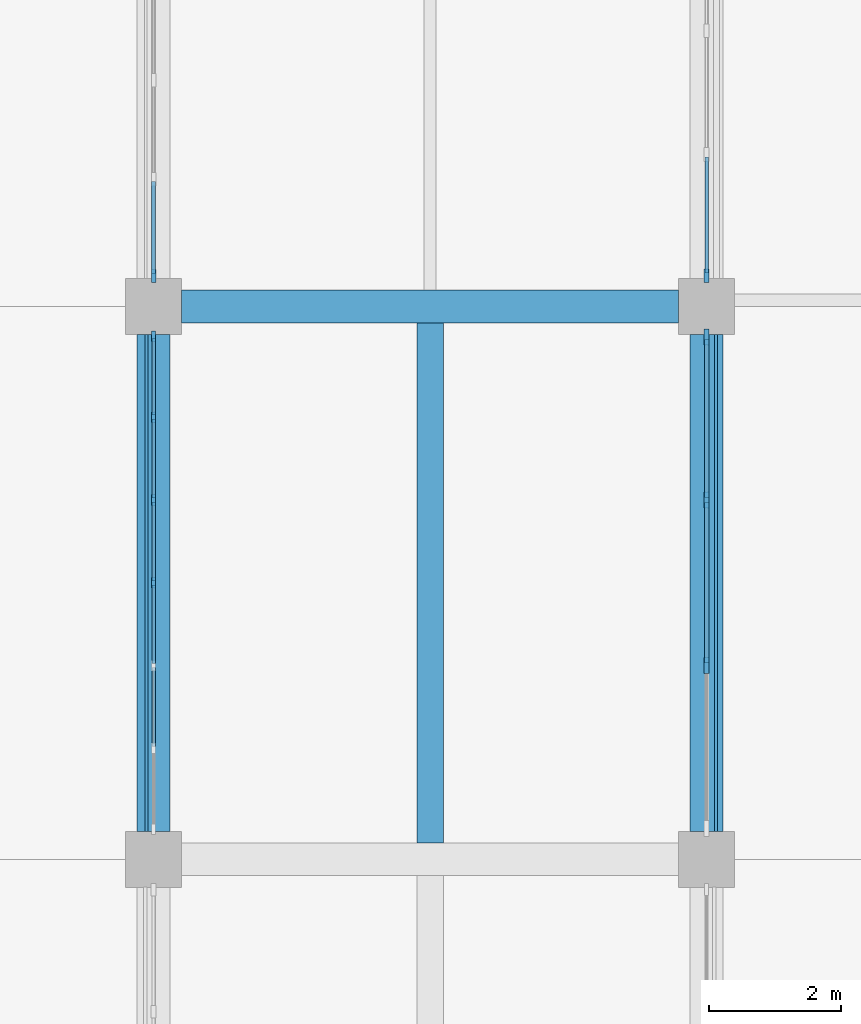
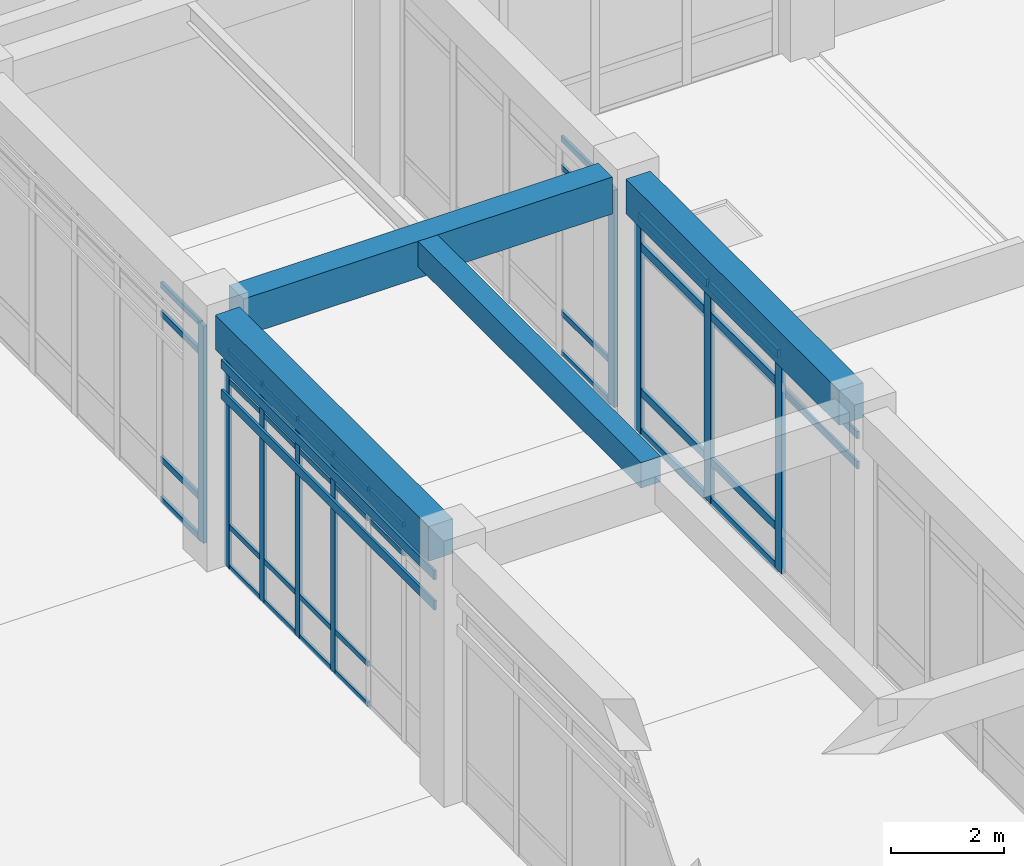
# One storey, part 18 of 91: 47 members, 4 beams, 4 elements without a shape of their own.
"""IFC4 building model written with IfcOpenShell, lengths in metres."""

from ifc_helpers import new_model, si_unit, direction, frame, origin, origin_2d, place, context, subcontext, project, spatial, rectangle, extrude, material, layer, layer_set, material_profile, profile_set, type_object, element, aggregate, save


model = new_model("IFC4")

# Units and contexts
model_context = context("Model", 3, precision=1e-05, world=origin(), true_north=direction((0.0, 1.0)))
body_context = subcontext(model_context, "Body", "Model", "MODEL_VIEW")
ifc_project = project(units=[si_unit("LENGTHUNIT", "METRE"), si_unit("AREAUNIT", "SQUARE_METRE"), si_unit("VOLUMEUNIT", "CUBIC_METRE"), si_unit("PLANEANGLEUNIT", "RADIAN"), si_unit("MASSUNIT", "GRAM", prefix="KILO")], contexts=[model_context])

# Site, building, storey
site_placement = place(None, origin())
site = spatial("IfcSite", under=ifc_project, at=site_placement, CompositionType="ELEMENT")
building_placement = place(site_placement, origin())
building = spatial("IfcBuilding", under=site, at=building_placement, Name="Porcellanite Civic Hall", CompositionType="ELEMENT")
storey_placement = place(building_placement, origin())
storey = spatial("IfcBuildingStorey", under=building, at=storey_placement, Name="L00", CompositionType="ELEMENT", Elevation=0.0)

# Beams
ifc_material_1 = material(Name="Concrete N50 (50 MPa)", Category="concrete")
ifc_material_profile_1 = material_profile(ifc_material_1, rectangle(XDim=0.39990234375, YDim=0.550048828125, at=origin_2d()), Name="RC-400x550")
ifc_profile_set_1 = profile_set([ifc_material_profile_1], Name="Concrete N50 (50 MPa)")
beam_type_1 = type_object("IfcBeamType", Name="BM-RC550", PredefinedType="JOIST", material=ifc_profile_set_1)
beam_1_placement = place(storey_placement, frame((54.60009765625, 84.24951171875, 5.22509765625), z_axis=(0.0, 1.0, 0.0), x_axis=(-1.0, 0.0, 0.0)))
element("IfcBeam", 1, at=beam_1_placement, inside=storey, type_object=beam_type_1, Name="Secondary joist L00 7-11", PredefinedType="JOIST", context=body_context, shape_type="SweptSolid", body=[
    extrude(rectangle(XDim=0.39990234375, YDim=0.550048828125, at=origin_2d()), origin(), (0.0, 0.0, 1.0), 7.90087890625),
])
ifc_material_2 = material(Name="Concrete N50 (50 MPa)", Category="concrete")
ifc_material_profile_2 = material_profile(ifc_material_2, rectangle(XDim=0.5, YDim=0.75, at=origin_2d()), Name="RC-500x750")
ifc_profile_set_2 = profile_set([ifc_material_profile_2], Name="Concrete N50 (50 MPa)")
beam_type_2 = type_object("IfcBeamType", Name="BM-RC750", PredefinedType="SPANDREL", material=ifc_profile_set_2)
for number, where, z_axis, x_axis, name in (
    (2, (50.39990234375, 84.424560546875, 5.125), (0.0, 1.0, 0.0), (-1.0, 0.0, 0.0), "Beam Y L00 7-11"),
    (3, (58.800048828125, 84.424560546875, 5.125), (0.0, 1.0, 0.0), (-1.0, 0.0, 0.0), "Beam Y L00 8-11"),
):
    element("IfcBeam", number, at=place(storey_placement, frame(where, z_axis=z_axis, x_axis=x_axis)), inside=storey, type_object=beam_type_2, Name=name, PredefinedType="SPANDREL", context=body_context, shape_type="SweptSolid", body=[
        extrude(rectangle(XDim=0.5, YDim=0.75, at=origin_2d()), origin(), (0.0, 0.0, 1.0), 7.551025390625),
    ])
ifc_material_3 = material(Name="Concrete N50 (50 MPa)", Category="concrete")
ifc_material_profile_3 = material_profile(ifc_material_3, rectangle(XDim=0.5, YDim=0.800048828125, at=origin_2d()), Name="RC-500x800")
ifc_profile_set_3 = profile_set([ifc_material_profile_3], Name="Concrete N50 (50 MPa)")
beam_type_3 = type_object("IfcBeamType", Name="BM-RC800", PredefinedType="BEAM", material=ifc_profile_set_3)
beam_2_placement = place(storey_placement, frame((50.824462890625, 92.39990234375, 5.10009765625), z_axis=(1.0, 0.0, 0.0), x_axis=(0.0, 1.0, 0.0)))
element("IfcBeam", 4, at=beam_2_placement, inside=storey, type_object=beam_type_3, Name="Beam X L00 7-12", PredefinedType="BEAM", context=body_context, shape_type="SweptSolid", body=[
    extrude(rectangle(XDim=0.5, YDim=0.800048828125, at=origin_2d()), origin(), (0.0, 0.0, 1.0), 7.551025390625),
])

# Curtain wall, members
ifc_material_4 = material(Name="Anodised aluminium and solar laminated glass", Category="aluminium")
ifc_layer_1 = layer(ifc_material_4, 0.179931640625)
ifc_layer_set_1 = layer_set([ifc_layer_1], Name="Anodised aluminium and solar laminated glass")
curtain_wall_type_1 = type_object("IfcCurtainWallType", Name="CW-SYS08", PredefinedType="NOTDEFINED", material=ifc_layer_set_1)
curtain_wall_1_placement = place(storey_placement, origin())
curtain_wall_1 = element("IfcCurtainWall", 5, at=curtain_wall_1_placement, inside=storey, type_object=curtain_wall_type_1, Name="Curtain wall CW-022", PredefinedType="NOTDEFINED")
ifc_material_5 = material(Name="Anodised aluminium 6063-T6", Category="aluminium")
ifc_material_profile_4 = material_profile(ifc_material_5, rectangle(XDim=0.080078125, YDim=0.239990234375, at=origin_2d()), Name="AL-80x240")
ifc_profile_set_4 = profile_set([ifc_material_profile_4], Name="Anodised aluminium 6063-T6")
member_type_1 = type_object("IfcMemberType", Name="CWM-01", PredefinedType="MULLION", material=ifc_profile_set_4)
member_1_placement = place(storey_placement, frame((58.800048828125, 91.93408203125, 0.0), z_axis=(0.0, 0.0, 1.0), x_axis=(1.0, 0.0, 0.0)))
member_1 = element("IfcMember", 6, at=member_1_placement, type_object=member_type_1, Name="CW-022 mullion 1", PredefinedType="MULLION", context=body_context, shape_type="SweptSolid", body=[
    extrude(rectangle(XDim=0.080078125, YDim=0.239990234375, at=origin_2d()), origin(), (0.0, 0.0, 1.0), 4.699951171875),
])
member_2_placement = place(storey_placement, frame((58.800048828125, 89.4580078125, 0.0), z_axis=(0.0, 0.0, 1.0), x_axis=(1.0, 0.0, 0.0)))
member_2 = element("IfcMember", 7, at=member_2_placement, type_object=member_type_1, Name="CW-022 mullion 2", PredefinedType="MULLION", context=body_context, shape_type="SweptSolid", body=[
    extrude(rectangle(XDim=0.080078125, YDim=0.239990234375, at=origin_2d()), origin(), (0.0, 0.0, 1.0), 4.699951171875),
])
member_3_placement = place(storey_placement, frame((58.800048828125, 86.94189453125, 0.0), z_axis=(0.0, 0.0, 1.0), x_axis=(1.0, 0.0, 0.0)))
member_3 = element("IfcMember", 8, at=member_3_placement, type_object=member_type_1, Name="CW-022 mullion 3", PredefinedType="MULLION", context=body_context, shape_type="SweptSolid", body=[
    extrude(rectangle(XDim=0.080078125, YDim=0.239990234375, at=origin_2d()), origin(), (0.0, 0.0, 1.0), 4.699951171875),
])

# Curtain wall, member
ifc_material_6 = material(Name="Anodised aluminium and solar laminated glass", Category="aluminium")
ifc_layer_2 = layer(ifc_material_6, 0.179931640625)
ifc_layer_set_2 = layer_set([ifc_layer_2], Name="Anodised aluminium and solar laminated glass")
curtain_wall_type_2 = type_object("IfcCurtainWallType", Name="CW-SYS03", PredefinedType="NOTDEFINED", material=ifc_layer_set_2)
curtain_wall_2_placement = place(storey_placement, origin())
curtain_wall_2 = element("IfcCurtainWall", 9, at=curtain_wall_2_placement, inside=storey, type_object=curtain_wall_type_2, Name="Curtain wall CW-024", PredefinedType="NOTDEFINED")
ifc_material_7 = material(Name="Anodised aluminium 6063-T6", Category="aluminium")
ifc_material_profile_5 = material_profile(ifc_material_7, rectangle(XDim=0.080078125, YDim=0.2099609375, at=origin_2d()), Name="AL-80x210")
ifc_profile_set_5 = profile_set([ifc_material_profile_5], Name="Anodised aluminium 6063-T6")
member_type_2 = type_object("IfcMemberType", Name="CWM-02", PredefinedType="MULLION", material=ifc_profile_set_5)
member_4_placement = place(storey_placement, frame((58.800048828125, 92.865966796875, 0.0), z_axis=(0.0, 0.0, 1.0), x_axis=(1.0, 0.0, 0.0)))
member_4 = element("IfcMember", 10, at=member_4_placement, type_object=member_type_2, Name="CW-024 mullion 5", PredefinedType="MULLION", context=body_context, shape_type="SweptSolid", body=[
    extrude(rectangle(XDim=0.080078125, YDim=0.2099609375, at=origin_2d()), origin(), (0.0, 0.0, 1.0), 4.699951171875),
])

ifc_material_8 = material(Name="Anodised aluminium and solar laminated glass", Category="aluminium")
ifc_layer_3 = layer(ifc_material_8, 0.179931640625)
ifc_layer_set_3 = layer_set([ifc_layer_3], Name="Anodised aluminium and solar laminated glass")
curtain_wall_type_3 = type_object("IfcCurtainWallType", Name="CW-SYS01", PredefinedType="NOTDEFINED", material=ifc_layer_set_3)
curtain_wall_3_placement = place(storey_placement, origin())
curtain_wall_3 = element("IfcCurtainWall", 11, at=curtain_wall_3_placement, inside=storey, type_object=curtain_wall_type_3, Name="Curtain wall CW-023", PredefinedType="NOTDEFINED")
ifc_material_9 = material(Name="Anodised aluminium 6063-T6", Category="aluminium")
ifc_material_profile_6 = material_profile(ifc_material_9, rectangle(XDim=0.070068359375, YDim=0.199951171875, at=origin_2d()), Name="AL-70x200")
ifc_profile_set_6 = profile_set([ifc_material_profile_6], Name="Anodised aluminium 6063-T6")
member_type_3 = type_object("IfcMemberType", Name="CWM-05", PredefinedType="MULLION", material=ifc_profile_set_6)
member_5_placement = place(storey_placement, frame((50.39990234375, 92.861083984375, 0.0), z_axis=(0.0, 0.0, 1.0), x_axis=(-1.0, 0.0, 0.0)))
member_5 = element("IfcMember", 12, at=member_5_placement, type_object=member_type_3, Name="CW-023 mullion 1", PredefinedType="MULLION", context=body_context, shape_type="SweptSolid", body=[
    extrude(rectangle(XDim=0.070068359375, YDim=0.199951171875, at=origin_2d()), origin(), (0.0, 0.0, 1.0), 4.699951171875),
])

# Curtain wall, members
ifc_material_10 = material(Name="Anodised aluminium and solar laminated glass", Category="aluminium")
ifc_layer_4 = layer(ifc_material_10, 0.179931640625)
ifc_layer_set_4 = layer_set([ifc_layer_4], Name="Anodised aluminium and solar laminated glass")
curtain_wall_type_4 = type_object("IfcCurtainWallType", Name="CW-SYS07", PredefinedType="NOTDEFINED", material=ifc_layer_set_4)
curtain_wall_4_placement = place(storey_placement, origin())
curtain_wall_4 = element("IfcCurtainWall", 13, at=curtain_wall_4_placement, inside=storey, type_object=curtain_wall_type_4, Name="Curtain wall CW-021", PredefinedType="NOTDEFINED")
ifc_material_11 = material(Name="Anodised aluminium 6063-T6", Category="aluminium")
ifc_material_profile_7 = material_profile(ifc_material_11, rectangle(XDim=0.06005859375, YDim=0.159912109375, at=origin_2d()), Name="AL-60x160")
ifc_profile_set_7 = profile_set([ifc_material_profile_7], Name="Anodised aluminium 6063-T6")
member_type_4 = type_object("IfcMemberType", Name="CWM-07", PredefinedType="MULLION", material=ifc_profile_set_7)
member_6_placement = place(storey_placement, frame((50.39990234375, 88.199951171875, 0.0), z_axis=(0.0, 0.0, 1.0), x_axis=(-1.0, 0.0, 0.0)))
member_6 = element("IfcMember", 14, at=member_6_placement, type_object=member_type_4, Name="CW-021 mullion 4", PredefinedType="MULLION", context=body_context, shape_type="SweptSolid", body=[
    extrude(rectangle(XDim=0.06005859375, YDim=0.159912109375, at=origin_2d()), origin(), (0.0, 0.0, 1.0), 4.699951171875),
])
member_7_placement = place(storey_placement, frame((50.39990234375, 89.4580078125, 0.0), z_axis=(0.0, 0.0, 1.0), x_axis=(-1.0, 0.0, 0.0)))
member_7 = element("IfcMember", 15, at=member_7_placement, type_object=member_type_4, Name="CW-021 mullion 5", PredefinedType="MULLION", context=body_context, shape_type="SweptSolid", body=[
    extrude(rectangle(XDim=0.06005859375, YDim=0.159912109375, at=origin_2d()), origin(), (0.0, 0.0, 1.0), 4.699951171875),
])
member_8_placement = place(storey_placement, frame((50.39990234375, 90.716064453125, 0.0), z_axis=(0.0, 0.0, 1.0), x_axis=(-1.0, 0.0, 0.0)))
member_8 = element("IfcMember", 16, at=member_8_placement, type_object=member_type_4, Name="CW-021 mullion 6", PredefinedType="MULLION", context=body_context, shape_type="SweptSolid", body=[
    extrude(rectangle(XDim=0.06005859375, YDim=0.159912109375, at=origin_2d()), origin(), (0.0, 0.0, 1.0), 4.699951171875),
])
member_9_placement = place(storey_placement, frame((50.39990234375, 91.944091796875, 0.0), z_axis=(0.0, 0.0, 1.0), x_axis=(-1.0, 0.0, 0.0)))
member_9 = element("IfcMember", 17, at=member_9_placement, type_object=member_type_4, Name="CW-021 mullion 7", PredefinedType="MULLION", context=body_context, shape_type="SweptSolid", body=[
    extrude(rectangle(XDim=0.06005859375, YDim=0.159912109375, at=origin_2d()), origin(), (0.0, 0.0, 1.0), 4.699951171875),
])

# Member
ifc_material_12 = material(Name="Anodised aluminium 6063-T6", Category="aluminium")
ifc_material_profile_8 = material_profile(ifc_material_12, rectangle(XDim=0.070068359375, YDim=0.175048828125, at=origin_2d()), Name="AL-70x175")
ifc_profile_set_8 = profile_set([ifc_material_profile_8], Name="Anodised aluminium 6063-T6")
member_type_5 = type_object("IfcMemberType", Name="CWT-01", PredefinedType="USERDEFINED", material=ifc_profile_set_8)
member_10_placement = place(storey_placement, frame((58.800048828125, 91.89404296875, 0.034912109375), z_axis=(0.0, -1.0, 0.0), x_axis=(1.0, 0.0, 0.0)))
member_10 = element("IfcMember", 18, at=member_10_placement, type_object=member_type_5, Name="CW-022 transom 1.1", ObjectType="TRANSOM", PredefinedType="USERDEFINED", context=body_context, shape_type="SweptSolid", body=[
    extrude(rectangle(XDim=0.070068359375, YDim=0.175048828125, at=origin_2d()), origin(), (0.0, 0.0, 1.0), 2.39599609375),
])

member_11_placement = place(storey_placement, frame((58.800048828125, 91.89404296875, 0.89990234375), z_axis=(0.0, -1.0, 0.0), x_axis=(1.0, 0.0, 0.0)))
member_11 = element("IfcMember", 19, at=member_11_placement, type_object=member_type_5, Name="CW-022 transom 1.2", ObjectType="TRANSOM", PredefinedType="USERDEFINED", context=body_context, shape_type="SweptSolid", body=[
    extrude(rectangle(XDim=0.070068359375, YDim=0.175048828125, at=origin_2d()), origin(), (0.0, 0.0, 1.0), 2.39599609375),
])

member_12_placement = place(storey_placement, frame((58.800048828125, 91.89404296875, 4.050048828125), z_axis=(0.0, -1.0, 0.0), x_axis=(1.0, 0.0, 0.0)))
member_12 = element("IfcMember", 20, at=member_12_placement, type_object=member_type_5, Name="CW-022 transom 1.3", ObjectType="TRANSOM", PredefinedType="USERDEFINED", context=body_context, shape_type="SweptSolid", body=[
    extrude(rectangle(XDim=0.070068359375, YDim=0.175048828125, at=origin_2d()), origin(), (0.0, 0.0, 1.0), 2.39599609375),
])

member_13_placement = place(storey_placement, frame((58.800048828125, 91.89404296875, 4.6650390625), z_axis=(0.0, -1.0, 0.0), x_axis=(1.0, 0.0, 0.0)))
member_13 = element("IfcMember", 21, at=member_13_placement, type_object=member_type_5, Name="CW-022 transom 1.4", ObjectType="TRANSOM", PredefinedType="USERDEFINED", context=body_context, shape_type="SweptSolid", body=[
    extrude(rectangle(XDim=0.070068359375, YDim=0.175048828125, at=origin_2d()), origin(), (0.0, 0.0, 1.0), 2.39599609375),
])

member_14_placement = place(storey_placement, frame((58.800048828125, 89.41796875, 0.034912109375), z_axis=(0.0, -1.0, 0.0), x_axis=(1.0, 0.0, 0.0)))
member_14 = element("IfcMember", 22, at=member_14_placement, type_object=member_type_5, Name="CW-022 transom 2.1", ObjectType="TRANSOM", PredefinedType="USERDEFINED", context=body_context, shape_type="SweptSolid", body=[
    extrude(rectangle(XDim=0.070068359375, YDim=0.175048828125, at=origin_2d()), origin(), (0.0, 0.0, 1.0), 2.43603515625),
])

member_15_placement = place(storey_placement, frame((58.800048828125, 89.41796875, 0.89990234375), z_axis=(0.0, -1.0, 0.0), x_axis=(1.0, 0.0, 0.0)))
member_15 = element("IfcMember", 23, at=member_15_placement, type_object=member_type_5, Name="CW-022 transom 2.2", ObjectType="TRANSOM", PredefinedType="USERDEFINED", context=body_context, shape_type="SweptSolid", body=[
    extrude(rectangle(XDim=0.070068359375, YDim=0.175048828125, at=origin_2d()), origin(), (0.0, 0.0, 1.0), 2.43603515625),
])

member_16_placement = place(storey_placement, frame((58.800048828125, 89.41796875, 4.050048828125), z_axis=(0.0, -1.0, 0.0), x_axis=(1.0, 0.0, 0.0)))
member_16 = element("IfcMember", 24, at=member_16_placement, type_object=member_type_5, Name="CW-022 transom 2.3", ObjectType="TRANSOM", PredefinedType="USERDEFINED", context=body_context, shape_type="SweptSolid", body=[
    extrude(rectangle(XDim=0.070068359375, YDim=0.175048828125, at=origin_2d()), origin(), (0.0, 0.0, 1.0), 2.43603515625),
])

member_17_placement = place(storey_placement, frame((58.800048828125, 89.41796875, 4.6650390625), z_axis=(0.0, -1.0, 0.0), x_axis=(1.0, 0.0, 0.0)))
member_17 = element("IfcMember", 25, at=member_17_placement, type_object=member_type_5, Name="CW-022 transom 2.4", ObjectType="TRANSOM", PredefinedType="USERDEFINED", context=body_context, shape_type="SweptSolid", body=[
    extrude(rectangle(XDim=0.070068359375, YDim=0.175048828125, at=origin_2d()), origin(), (0.0, 0.0, 1.0), 2.43603515625),
])

aggregate(curtain_wall_1, [member_1, member_2, member_3, member_10, member_11, member_12, member_13, member_14, member_15, member_16, member_17])

ifc_material_13 = material(Name="Anodised aluminium 6063-T6", Category="aluminium")
ifc_material_profile_9 = material_profile(ifc_material_13, rectangle(XDim=0.06005859375, YDim=0.1298828125, at=origin_2d()), Name="AL-60x130")
ifc_profile_set_9 = profile_set([ifc_material_profile_9], Name="Anodised aluminium 6063-T6")
member_type_6 = type_object("IfcMemberType", Name="CWT-03", PredefinedType="USERDEFINED", material=ifc_profile_set_9)
member_18_placement = place(storey_placement, frame((50.39990234375, 92.89599609375, 0.030029296875), z_axis=(0.0, 1.0, 0.0), x_axis=(-1.0, 0.0, 0.0)))
member_18 = element("IfcMember", 26, at=member_18_placement, type_object=member_type_6, Name="CW-023 transom 1.1", ObjectType="TRANSOM", PredefinedType="USERDEFINED", context=body_context, shape_type="SweptSolid", body=[
    extrude(rectangle(XDim=0.06005859375, YDim=0.1298828125, at=origin_2d()), origin(), (0.0, 0.0, 1.0), 1.399658203125),
])

member_19_placement = place(storey_placement, frame((50.39990234375, 92.89599609375, 0.89990234375), z_axis=(0.0, 1.0, 0.0), x_axis=(-1.0, 0.0, 0.0)))
member_19 = element("IfcMember", 27, at=member_19_placement, type_object=member_type_6, Name="CW-023 transom 1.2", ObjectType="TRANSOM", PredefinedType="USERDEFINED", context=body_context, shape_type="SweptSolid", body=[
    extrude(rectangle(XDim=0.06005859375, YDim=0.1298828125, at=origin_2d()), origin(), (0.0, 0.0, 1.0), 1.399658203125),
])

member_20_placement = place(storey_placement, frame((50.39990234375, 92.89599609375, 4.050048828125), z_axis=(0.0, 1.0, 0.0), x_axis=(-1.0, 0.0, 0.0)))
member_20 = element("IfcMember", 28, at=member_20_placement, type_object=member_type_6, Name="CW-023 transom 1.3", ObjectType="TRANSOM", PredefinedType="USERDEFINED", context=body_context, shape_type="SweptSolid", body=[
    extrude(rectangle(XDim=0.06005859375, YDim=0.1298828125, at=origin_2d()), origin(), (0.0, 0.0, 1.0), 1.399658203125),
])

member_21_placement = place(storey_placement, frame((50.39990234375, 92.89599609375, 4.669921875), z_axis=(0.0, 1.0, 0.0), x_axis=(-1.0, 0.0, 0.0)))
member_21 = element("IfcMember", 29, at=member_21_placement, type_object=member_type_6, Name="CW-023 transom 1.4", ObjectType="TRANSOM", PredefinedType="USERDEFINED", context=body_context, shape_type="SweptSolid", body=[
    extrude(rectangle(XDim=0.06005859375, YDim=0.1298828125, at=origin_2d()), origin(), (0.0, 0.0, 1.0), 1.399658203125),
])

aggregate(curtain_wall_3, [member_5, member_18, member_19, member_20, member_21])

ifc_material_14 = material(Name="Anodised aluminium 6063-T6", Category="aluminium")
ifc_material_profile_10 = material_profile(ifc_material_14, rectangle(XDim=0.054931640625, YDim=0.1201171875, at=origin_2d()), Name="AL-55x120")
ifc_profile_set_10 = profile_set([ifc_material_profile_10], Name="Anodised aluminium 6063-T6")
member_type_7 = type_object("IfcMemberType", Name="CWT-04", PredefinedType="USERDEFINED", material=ifc_profile_set_10)
member_22_placement = place(storey_placement, frame((58.800048828125, 94.666748046875, 0.027587890625), z_axis=(0.0, -1.0, 0.0), x_axis=(1.0, 0.0, 0.0)))
member_22 = element("IfcMember", 30, at=member_22_placement, type_object=member_type_7, Name="CW-024 transom 4.1", ObjectType="TRANSOM", PredefinedType="USERDEFINED", context=body_context, shape_type="SweptSolid", body=[
    extrude(rectangle(XDim=0.054931640625, YDim=0.1201171875, at=origin_2d()), origin(), (0.0, 0.0, 1.0), 1.7607421875),
])

member_23_placement = place(storey_placement, frame((58.800048828125, 94.666748046875, 0.89990234375), z_axis=(0.0, -1.0, 0.0), x_axis=(1.0, 0.0, 0.0)))
member_23 = element("IfcMember", 31, at=member_23_placement, type_object=member_type_7, Name="CW-024 transom 4.2", ObjectType="TRANSOM", PredefinedType="USERDEFINED", context=body_context, shape_type="SweptSolid", body=[
    extrude(rectangle(XDim=0.054931640625, YDim=0.1201171875, at=origin_2d()), origin(), (0.0, 0.0, 1.0), 1.7607421875),
])

member_24_placement = place(storey_placement, frame((58.800048828125, 94.666748046875, 4.050048828125), z_axis=(0.0, -1.0, 0.0), x_axis=(1.0, 0.0, 0.0)))
member_24 = element("IfcMember", 32, at=member_24_placement, type_object=member_type_7, Name="CW-024 transom 4.3", ObjectType="TRANSOM", PredefinedType="USERDEFINED", context=body_context, shape_type="SweptSolid", body=[
    extrude(rectangle(XDim=0.054931640625, YDim=0.1201171875, at=origin_2d()), origin(), (0.0, 0.0, 1.0), 1.7607421875),
])

member_25_placement = place(storey_placement, frame((58.800048828125, 94.666748046875, 4.672607421875), z_axis=(0.0, -1.0, 0.0), x_axis=(1.0, 0.0, 0.0)))
member_25 = element("IfcMember", 33, at=member_25_placement, type_object=member_type_7, Name="CW-024 transom 4.4", ObjectType="TRANSOM", PredefinedType="USERDEFINED", context=body_context, shape_type="SweptSolid", body=[
    extrude(rectangle(XDim=0.054931640625, YDim=0.1201171875, at=origin_2d()), origin(), (0.0, 0.0, 1.0), 1.7607421875),
])

aggregate(curtain_wall_2, [member_4, member_22, member_23, member_24, member_25])

ifc_material_15 = material(Name="Anodised aluminium 6063-T6", Category="aluminium")
ifc_material_profile_11 = material_profile(ifc_material_15, rectangle(XDim=0.050048828125, YDim=0.110107421875, at=origin_2d()), Name="AL-50x110")
ifc_profile_set_11 = profile_set([ifc_material_profile_11], Name="Anodised aluminium 6063-T6")
member_type_8 = type_object("IfcMemberType", Name="CWT-07", PredefinedType="USERDEFINED", material=ifc_profile_set_11)
member_26_placement = place(storey_placement, frame((50.39990234375, 85.714111328125, 4.050048828125), z_axis=(0.0, 1.0, 0.0), x_axis=(-1.0, 0.0, 0.0)))
member_26 = element("IfcMember", 34, at=member_26_placement, type_object=member_type_8, Name="CW-021 transom 2.3", ObjectType="TRANSOM", PredefinedType="USERDEFINED", context=body_context, shape_type="SweptSolid", body=[
    extrude(rectangle(XDim=0.050048828125, YDim=0.110107421875, at=origin_2d()), origin(), (0.0, 0.0, 1.0), 1.197998046875),
])

member_27_placement = place(storey_placement, frame((50.39990234375, 85.714111328125, 4.675048828125), z_axis=(0.0, 1.0, 0.0), x_axis=(-1.0, 0.0, 0.0)))
member_27 = element("IfcMember", 35, at=member_27_placement, type_object=member_type_8, Name="CW-021 transom 2.4", ObjectType="TRANSOM", PredefinedType="USERDEFINED", context=body_context, shape_type="SweptSolid", body=[
    extrude(rectangle(XDim=0.050048828125, YDim=0.110107421875, at=origin_2d()), origin(), (0.0, 0.0, 1.0), 1.197998046875),
])

member_28_placement = place(storey_placement, frame((50.39990234375, 86.971923828125, 0.02490234375), z_axis=(0.0, 1.0, 0.0), x_axis=(-1.0, 0.0, 0.0)))
member_28 = element("IfcMember", 36, at=member_28_placement, type_object=member_type_8, Name="CW-021 transom 3.1", ObjectType="TRANSOM", PredefinedType="USERDEFINED", context=body_context, shape_type="SweptSolid", body=[
    extrude(rectangle(XDim=0.050048828125, YDim=0.110107421875, at=origin_2d()), origin(), (0.0, 0.0, 1.0), 1.197998046875),
])

member_29_placement = place(storey_placement, frame((50.39990234375, 86.971923828125, 0.89990234375), z_axis=(0.0, 1.0, 0.0), x_axis=(-1.0, 0.0, 0.0)))
member_29 = element("IfcMember", 37, at=member_29_placement, type_object=member_type_8, Name="CW-021 transom 3.2", ObjectType="TRANSOM", PredefinedType="USERDEFINED", context=body_context, shape_type="SweptSolid", body=[
    extrude(rectangle(XDim=0.050048828125, YDim=0.110107421875, at=origin_2d()), origin(), (0.0, 0.0, 1.0), 1.197998046875),
])

member_30_placement = place(storey_placement, frame((50.39990234375, 86.971923828125, 4.050048828125), z_axis=(0.0, 1.0, 0.0), x_axis=(-1.0, 0.0, 0.0)))
member_30 = element("IfcMember", 38, at=member_30_placement, type_object=member_type_8, Name="CW-021 transom 3.3", ObjectType="TRANSOM", PredefinedType="USERDEFINED", context=body_context, shape_type="SweptSolid", body=[
    extrude(rectangle(XDim=0.050048828125, YDim=0.110107421875, at=origin_2d()), origin(), (0.0, 0.0, 1.0), 1.197998046875),
])

member_31_placement = place(storey_placement, frame((50.39990234375, 86.971923828125, 4.675048828125), z_axis=(0.0, 1.0, 0.0), x_axis=(-1.0, 0.0, 0.0)))
member_31 = element("IfcMember", 39, at=member_31_placement, type_object=member_type_8, Name="CW-021 transom 3.4", ObjectType="TRANSOM", PredefinedType="USERDEFINED", context=body_context, shape_type="SweptSolid", body=[
    extrude(rectangle(XDim=0.050048828125, YDim=0.110107421875, at=origin_2d()), origin(), (0.0, 0.0, 1.0), 1.197998046875),
])

member_32_placement = place(storey_placement, frame((50.39990234375, 88.22998046875, 0.02490234375), z_axis=(0.0, 1.0, 0.0), x_axis=(-1.0, 0.0, 0.0)))
member_32 = element("IfcMember", 40, at=member_32_placement, type_object=member_type_8, Name="CW-021 transom 4.1", ObjectType="TRANSOM", PredefinedType="USERDEFINED", context=body_context, shape_type="SweptSolid", body=[
    extrude(rectangle(XDim=0.050048828125, YDim=0.110107421875, at=origin_2d()), origin(), (0.0, 0.0, 1.0), 1.197998046875),
])

member_33_placement = place(storey_placement, frame((50.39990234375, 88.22998046875, 0.89990234375), z_axis=(0.0, 1.0, 0.0), x_axis=(-1.0, 0.0, 0.0)))
member_33 = element("IfcMember", 41, at=member_33_placement, type_object=member_type_8, Name="CW-021 transom 4.2", ObjectType="TRANSOM", PredefinedType="USERDEFINED", context=body_context, shape_type="SweptSolid", body=[
    extrude(rectangle(XDim=0.050048828125, YDim=0.110107421875, at=origin_2d()), origin(), (0.0, 0.0, 1.0), 1.197998046875),
])

member_34_placement = place(storey_placement, frame((50.39990234375, 88.22998046875, 4.050048828125), z_axis=(0.0, 1.0, 0.0), x_axis=(-1.0, 0.0, 0.0)))
member_34 = element("IfcMember", 42, at=member_34_placement, type_object=member_type_8, Name="CW-021 transom 4.3", ObjectType="TRANSOM", PredefinedType="USERDEFINED", context=body_context, shape_type="SweptSolid", body=[
    extrude(rectangle(XDim=0.050048828125, YDim=0.110107421875, at=origin_2d()), origin(), (0.0, 0.0, 1.0), 1.197998046875),
])

member_35_placement = place(storey_placement, frame((50.39990234375, 88.22998046875, 4.675048828125), z_axis=(0.0, 1.0, 0.0), x_axis=(-1.0, 0.0, 0.0)))
member_35 = element("IfcMember", 43, at=member_35_placement, type_object=member_type_8, Name="CW-021 transom 4.4", ObjectType="TRANSOM", PredefinedType="USERDEFINED", context=body_context, shape_type="SweptSolid", body=[
    extrude(rectangle(XDim=0.050048828125, YDim=0.110107421875, at=origin_2d()), origin(), (0.0, 0.0, 1.0), 1.197998046875),
])

member_36_placement = place(storey_placement, frame((50.39990234375, 89.488037109375, 0.02490234375), z_axis=(0.0, 1.0, 0.0), x_axis=(-1.0, 0.0, 0.0)))
member_36 = element("IfcMember", 44, at=member_36_placement, type_object=member_type_8, Name="CW-021 transom 5.1", ObjectType="TRANSOM", PredefinedType="USERDEFINED", context=body_context, shape_type="SweptSolid", body=[
    extrude(rectangle(XDim=0.050048828125, YDim=0.110107421875, at=origin_2d()), origin(), (0.0, 0.0, 1.0), 1.197998046875),
])

member_37_placement = place(storey_placement, frame((50.39990234375, 89.488037109375, 0.89990234375), z_axis=(0.0, 1.0, 0.0), x_axis=(-1.0, 0.0, 0.0)))
member_37 = element("IfcMember", 45, at=member_37_placement, type_object=member_type_8, Name="CW-021 transom 5.2", ObjectType="TRANSOM", PredefinedType="USERDEFINED", context=body_context, shape_type="SweptSolid", body=[
    extrude(rectangle(XDim=0.050048828125, YDim=0.110107421875, at=origin_2d()), origin(), (0.0, 0.0, 1.0), 1.197998046875),
])

member_38_placement = place(storey_placement, frame((50.39990234375, 89.488037109375, 4.050048828125), z_axis=(0.0, 1.0, 0.0), x_axis=(-1.0, 0.0, 0.0)))
member_38 = element("IfcMember", 46, at=member_38_placement, type_object=member_type_8, Name="CW-021 transom 5.3", ObjectType="TRANSOM", PredefinedType="USERDEFINED", context=body_context, shape_type="SweptSolid", body=[
    extrude(rectangle(XDim=0.050048828125, YDim=0.110107421875, at=origin_2d()), origin(), (0.0, 0.0, 1.0), 1.197998046875),
])

member_39_placement = place(storey_placement, frame((50.39990234375, 89.488037109375, 4.675048828125), z_axis=(0.0, 1.0, 0.0), x_axis=(-1.0, 0.0, 0.0)))
member_39 = element("IfcMember", 47, at=member_39_placement, type_object=member_type_8, Name="CW-021 transom 5.4", ObjectType="TRANSOM", PredefinedType="USERDEFINED", context=body_context, shape_type="SweptSolid", body=[
    extrude(rectangle(XDim=0.050048828125, YDim=0.110107421875, at=origin_2d()), origin(), (0.0, 0.0, 1.0), 1.197998046875),
])

member_40_placement = place(storey_placement, frame((50.39990234375, 90.74609375, 0.02490234375), z_axis=(0.0, 1.0, 0.0), x_axis=(-1.0, 0.0, 0.0)))
member_40 = element("IfcMember", 48, at=member_40_placement, type_object=member_type_8, Name="CW-021 transom 6.1", ObjectType="TRANSOM", PredefinedType="USERDEFINED", context=body_context, shape_type="SweptSolid", body=[
    extrude(rectangle(XDim=0.050048828125, YDim=0.110107421875, at=origin_2d()), origin(), (0.0, 0.0, 1.0), 1.16796875),
])

member_41_placement = place(storey_placement, frame((50.39990234375, 90.74609375, 0.89990234375), z_axis=(0.0, 1.0, 0.0), x_axis=(-1.0, 0.0, 0.0)))
member_41 = element("IfcMember", 49, at=member_41_placement, type_object=member_type_8, Name="CW-021 transom 6.2", ObjectType="TRANSOM", PredefinedType="USERDEFINED", context=body_context, shape_type="SweptSolid", body=[
    extrude(rectangle(XDim=0.050048828125, YDim=0.110107421875, at=origin_2d()), origin(), (0.0, 0.0, 1.0), 1.16796875),
])

member_42_placement = place(storey_placement, frame((50.39990234375, 90.74609375, 4.050048828125), z_axis=(0.0, 1.0, 0.0), x_axis=(-1.0, 0.0, 0.0)))
member_42 = element("IfcMember", 50, at=member_42_placement, type_object=member_type_8, Name="CW-021 transom 6.3", ObjectType="TRANSOM", PredefinedType="USERDEFINED", context=body_context, shape_type="SweptSolid", body=[
    extrude(rectangle(XDim=0.050048828125, YDim=0.110107421875, at=origin_2d()), origin(), (0.0, 0.0, 1.0), 1.16796875),
])

member_43_placement = place(storey_placement, frame((50.39990234375, 90.74609375, 4.675048828125), z_axis=(0.0, 1.0, 0.0), x_axis=(-1.0, 0.0, 0.0)))
member_43 = element("IfcMember", 51, at=member_43_placement, type_object=member_type_8, Name="CW-021 transom 6.4", ObjectType="TRANSOM", PredefinedType="USERDEFINED", context=body_context, shape_type="SweptSolid", body=[
    extrude(rectangle(XDim=0.050048828125, YDim=0.110107421875, at=origin_2d()), origin(), (0.0, 0.0, 1.0), 1.16796875),
])

aggregate(curtain_wall_4, [member_6, member_7, member_8, member_9, member_26, member_27, member_28, member_29, member_30, member_31, member_32, member_33, member_34, member_35, member_36, member_37, member_38, member_39, member_40, member_41, member_42, member_43])

# Members
ifc_material_16 = material(Name="Fluoropolymer bauxite-red aluminium 6063-T6", Category="aluminium")
ifc_material_profile_12 = material_profile(ifc_material_16, rectangle(XDim=0.050048828125, YDim=0.199951171875, at=origin_2d()), Name="AL-50x200")
ifc_profile_set_12 = profile_set([ifc_material_profile_12], Name="Fluoropolymer bauxite-red aluminium 6063-T6")
member_type_9 = type_object("IfcMemberType", Name="LV-BLD10", PredefinedType="USERDEFINED", material=ifc_profile_set_12)
for number, where, z_axis, x_axis, name in (
    (52, (50.29296875, 84.424560546875, 4.39990234375), (0.0, 1.0, 0.0), (-1.0, 0.0, 0.0), "Cyclone sunshade louvre L00 W 6-10 1"),
    (53, (50.29296875, 84.424560546875, 3.75), (0.0, 1.0, 0.0), (-1.0, 0.0, 0.0), "Cyclone sunshade louvre L00 W 6-10 2"),
):
    element("IfcMember", number, at=place(storey_placement, frame(where, z_axis=z_axis, x_axis=x_axis)), inside=storey, type_object=member_type_9, Name=name, ObjectType="LOUVRE BLADE", PredefinedType="USERDEFINED", context=body_context, shape_type="SweptSolid", body=[
        extrude(rectangle(XDim=0.050048828125, YDim=0.199951171875, at=origin_2d()), origin(), (0.0, 0.0, 1.0), 7.551025390625),
    ])
ifc_material_17 = material(Name="Fluoropolymer bauxite-red aluminium 6063-T6", Category="aluminium")
ifc_material_profile_13 = material_profile(ifc_material_17, rectangle(XDim=0.044921875, YDim=0.159912109375, at=origin_2d()), Name="AL-45x160")
ifc_profile_set_13 = profile_set([ifc_material_profile_13], Name="Fluoropolymer bauxite-red aluminium 6063-T6")
member_type_10 = type_object("IfcMemberType", Name="LV-BLD11", PredefinedType="USERDEFINED", material=ifc_profile_set_13)
for number, where, z_axis, x_axis, name in (
    (54, (58.944580078125, 91.9755859375, 4.39990234375), (0.0, -1.0, 0.0), (1.0, 0.0, 0.0), "Cyclone sunshade louvre L00 E 6-10 1"),
    (55, (58.944580078125, 91.9755859375, 3.75), (0.0, -1.0, 0.0), (1.0, 0.0, 0.0), "Cyclone sunshade louvre L00 E 6-10 2"),
):
    element("IfcMember", number, at=place(storey_placement, frame(where, z_axis=z_axis, x_axis=x_axis)), inside=storey, type_object=member_type_10, Name=name, ObjectType="LOUVRE BLADE", PredefinedType="USERDEFINED", context=body_context, shape_type="SweptSolid", body=[
        extrude(rectangle(XDim=0.044921875, YDim=0.159912109375, at=origin_2d()), origin(), (0.0, 0.0, 1.0), 7.551025390625),
    ])

save(model, "model.ifc")
